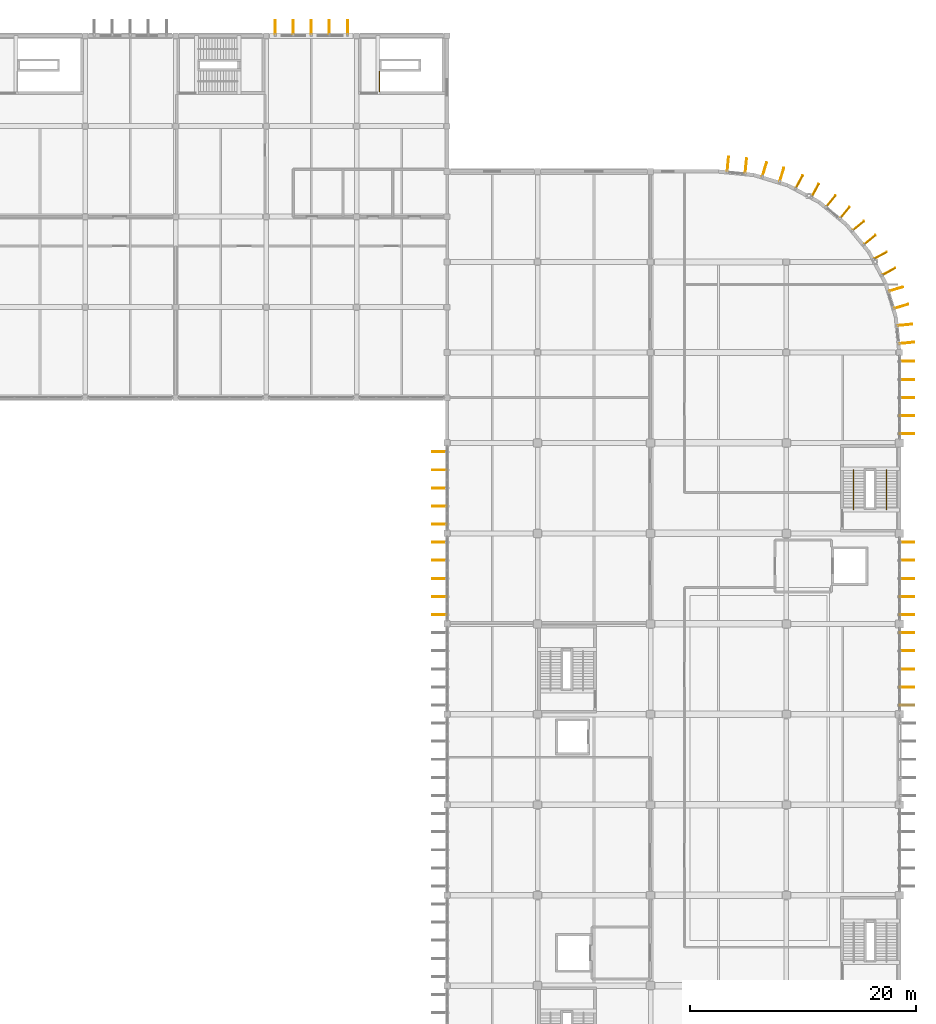
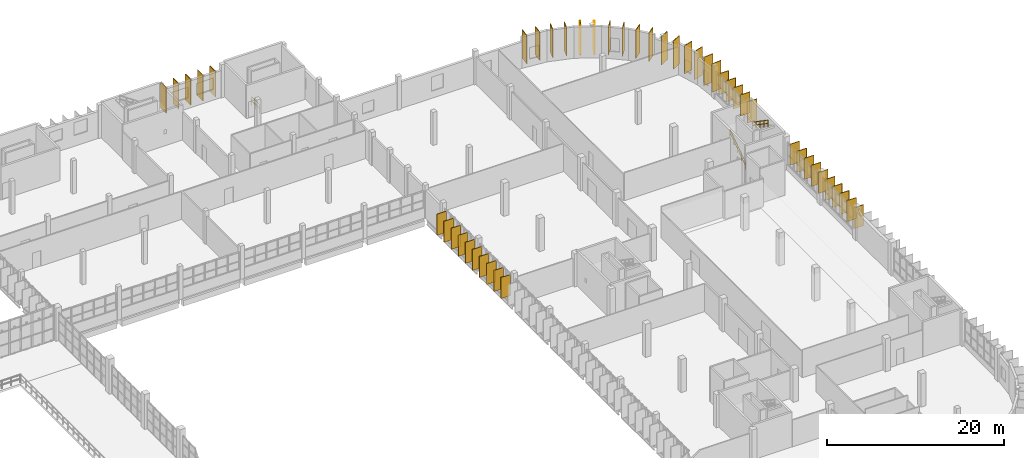
# One storey, part 93 of 93: 46 coverings, 45 shading devices, 3 railings.
"""IFC4 building model written with IfcOpenShell, lengths in metres."""

from ifc_helpers import new_model, si_unit, direction, frame, origin, origin_2d, place, context, subcontext, project, spatial, rectangle, circle, extrude, material, type_object, element, save


model = new_model("IFC4")

# Units and contexts
model_context = context("Model", 3, precision=1e-05, world=origin(), true_north=direction((0.0, 1.0)))
body_context = subcontext(model_context, "Body", "Model", "MODEL_VIEW")
ifc_project = project(units=[si_unit("LENGTHUNIT", "METRE"), si_unit("AREAUNIT", "SQUARE_METRE"), si_unit("VOLUMEUNIT", "CUBIC_METRE"), si_unit("PLANEANGLEUNIT", "RADIAN"), si_unit("MASSUNIT", "GRAM", prefix="KILO")], contexts=[model_context])

# Site, building, storey
site_placement = place(None, origin())
site = spatial("IfcSite", under=ifc_project, at=site_placement, CompositionType="ELEMENT")
building_placement = place(site_placement, origin())
building = spatial("IfcBuilding", under=site, at=building_placement, Name="Drelvana Railside Aquatics Centre", CompositionType="ELEMENT")
storey_placement = place(building_placement, frame((0.0, 0.0, 5.39990234375)))
storey = spatial("IfcBuildingStorey", under=building, at=storey_placement, Name="L01", CompositionType="ELEMENT", Elevation=5.39990234375)

# Coverings
ifc_material_1 = material(Name="Bronze-anodised extruded aluminium 6063-T6", Category="aluminium")
covering_type = type_object("IfcCoveringType", Name="COV-FIN-ALU", PredefinedType="CLADDING", material=ifc_material_1)
for number, where, z_axis, x_axis, name in (
    (1, (128.800048828125, 116.7451171875, 0.10009765625), (0.0, 0.0, 1.0), (1.0, 0.0, 0.0), "Vertical aluminium fin cladding CF-0491"),
    (2, (130.39990234375, 116.7451171875, 0.10009765625), (0.0, 0.0, 1.0), (1.0, 0.0, 0.0), "Vertical aluminium fin cladding CF-0492"),
    (3, (132.0, 116.7451171875, 0.10009765625), (0.0, 0.0, 1.0), (1.0, 0.0, 0.0), "Vertical aluminium fin cladding CF-0493"),
    (4, (133.60009765625, 116.7451171875, 0.10009765625), (0.0, 0.0, 1.0), (1.0, 0.0, 0.0), "Vertical aluminium fin cladding CF-0494"),
    (5, (135.199951171875, 116.7451171875, 0.10009765625), (0.0, 0.0, 1.0), (1.0, 0.0, 0.0), "Vertical aluminium fin cladding CF-0495"),
):
    element("IfcCovering", number, at=place(storey_placement, frame(where, z_axis=z_axis, x_axis=x_axis)), inside=storey, type_object=covering_type, Name=name, PredefinedType="CLADDING", context=body_context, shape_type="SweptSolid", body=[
        extrude(rectangle(XDim=0.0849609375, YDim=1.25, at=origin_2d()), origin(), (0.0, 0.0, 1.0), 3.550048828125),
    ])
for number, where, z_axis, x_axis, name in (
    (6, (143.330078125, 64.800048828125, 0.85009765625), (0.0, 0.0, 1.0), (0.0, 1.0, 0.0), "Vertical aluminium fin cladding CF-0641"),
    (7, (143.330078125, 66.39990234375, 0.85009765625), (0.0, 0.0, 1.0), (0.0, 1.0, 0.0), "Vertical aluminium fin cladding CF-0642"),
    (8, (143.330078125, 68.0, 0.85009765625), (0.0, 0.0, 1.0), (0.0, 1.0, 0.0), "Vertical aluminium fin cladding CF-0643"),
    (9, (143.330078125, 69.60009765625, 0.85009765625), (0.0, 0.0, 1.0), (0.0, 1.0, 0.0), "Vertical aluminium fin cladding CF-0644"),
    (10, (143.330078125, 71.199951171875, 0.85009765625), (0.0, 0.0, 1.0), (0.0, 1.0, 0.0), "Vertical aluminium fin cladding CF-0645"),
    (11, (143.330078125, 72.800048828125, 0.85009765625), (0.0, 0.0, 1.0), (0.0, 1.0, 0.0), "Vertical aluminium fin cladding CF-0661"),
    (12, (143.330078125, 74.39990234375, 0.85009765625), (0.0, 0.0, 1.0), (0.0, 1.0, 0.0), "Vertical aluminium fin cladding CF-0662"),
    (13, (143.330078125, 76.0, 0.85009765625), (0.0, 0.0, 1.0), (0.0, 1.0, 0.0), "Vertical aluminium fin cladding CF-0663"),
    (14, (143.330078125, 77.60009765625, 0.85009765625), (0.0, 0.0, 1.0), (0.0, 1.0, 0.0), "Vertical aluminium fin cladding CF-0664"),
    (15, (143.330078125, 79.199951171875, 0.85009765625), (0.0, 0.0, 1.0), (0.0, 1.0, 0.0), "Vertical aluminium fin cladding CF-0665"),
    (16, (184.669921875, 56.800048828125, 0.85009765625), (0.0, 0.0, 1.0), (0.0, -1.0, 0.0), "Vertical aluminium fin cladding CF-0756"),
    (17, (184.669921875, 58.39990234375, 0.85009765625), (0.0, 0.0, 1.0), (0.0, -1.0, 0.0), "Vertical aluminium fin cladding CF-0757"),
    (18, (184.669921875, 60.0, 0.85009765625), (0.0, 0.0, 1.0), (0.0, -1.0, 0.0), "Vertical aluminium fin cladding CF-0758"),
    (19, (184.669921875, 61.60009765625, 0.85009765625), (0.0, 0.0, 1.0), (0.0, -1.0, 0.0), "Vertical aluminium fin cladding CF-0759"),
    (20, (184.669921875, 63.199951171875, 0.85009765625), (0.0, 0.0, 1.0), (0.0, -1.0, 0.0), "Vertical aluminium fin cladding CF-0760"),
    (21, (184.669921875, 64.800048828125, 0.85009765625), (0.0, 0.0, 1.0), (0.0, -1.0, 0.0), "Vertical aluminium fin cladding CF-0781"),
    (22, (184.669921875, 66.39990234375, 0.85009765625), (0.0, 0.0, 1.0), (0.0, -1.0, 0.0), "Vertical aluminium fin cladding CF-0782"),
    (23, (184.669921875, 68.0, 0.85009765625), (0.0, 0.0, 1.0), (0.0, -1.0, 0.0), "Vertical aluminium fin cladding CF-0783"),
    (24, (184.669921875, 69.60009765625, 0.85009765625), (0.0, 0.0, 1.0), (0.0, -1.0, 0.0), "Vertical aluminium fin cladding CF-0784"),
    (25, (184.669921875, 71.199951171875, 0.85009765625), (0.0, 0.0, 1.0), (0.0, -1.0, 0.0), "Vertical aluminium fin cladding CF-0785"),
    (26, (184.669921875, 80.800048828125, 0.85009765625), (0.0, 0.0, 1.0), (0.0, -1.0, 0.0), "Vertical aluminium fin cladding CF-0806"),
    (27, (184.669921875, 82.39990234375, 0.85009765625), (0.0, 0.0, 1.0), (0.0, -1.0, 0.0), "Vertical aluminium fin cladding CF-0807"),
    (28, (184.669921875, 84.0, 0.85009765625), (0.0, 0.0, 1.0), (0.0, -1.0, 0.0), "Vertical aluminium fin cladding CF-0808"),
    (29, (184.669921875, 85.60009765625, 0.85009765625), (0.0, 0.0, 1.0), (0.0, -1.0, 0.0), "Vertical aluminium fin cladding CF-0809"),
    (30, (184.669921875, 87.199951171875, 0.85009765625), (0.0, 0.0, 1.0), (0.0, -1.0, 0.0), "Vertical aluminium fin cladding CF-0810"),
):
    element("IfcCovering", number, at=place(storey_placement, frame(where, z_axis=z_axis, x_axis=x_axis)), inside=storey, type_object=covering_type, Name=name, PredefinedType="CLADDING", context=body_context, shape_type="SweptSolid", body=[
        extrude(rectangle(XDim=0.0849609375, YDim=1.25, at=origin_2d()), origin(), (0.0, 0.0, 1.0), 2.89990234375),
    ])
for number, where, z_axis, x_axis, name in (
    (31, (184.65625, 88.836669921875, 0.250244140625), (0.0, 0.0, 1.0), (0.09801714033, -0.995184726672, 0.0), "Vertical aluminium fin cladding CF-0871"),
    (32, (184.499267578125, 90.428955078125, 0.250244140625), (0.0, 0.0, 1.0), (0.09801714033, -0.995184726672, 0.0), "Vertical aluminium fin cladding CF-0872"),
    (33, (184.1728515625, 92.070068359375, 0.250244140625), (0.0, 0.0, 1.0), (0.290284677254, -0.956940335732, 0.0), "Vertical aluminium fin cladding CF-0875"),
    (34, (183.70849609375, 93.60107421875, 0.250244140625), (0.0, 0.0, 1.0), (0.290284677254, -0.956940335732, 0.0), "Vertical aluminium fin cladding CF-0876"),
    (35, (183.068115234375, 95.14697265625, 0.250244140625), (0.0, 0.0, 1.0), (0.471396736826, -0.881921264348, 0.0), "Vertical aluminium fin cladding CF-0879"),
    (36, (182.31396484375, 96.55810546875, 0.250244140625), (0.0, 0.0, 1.0), (0.471396736826, -0.881921264348, 0.0), "Vertical aluminium fin cladding CF-0880"),
    (37, (181.38427734375, 97.94921875, 0.250244140625), (0.0, 0.0, 1.0), (0.634393284164, -0.773010453363, 0.0), "Vertical aluminium fin cladding CF-0883"),
    (38, (180.369384765625, 99.18603515625, 0.250244140625), (0.0, 0.0, 1.0), (0.634393284164, -0.773010453363, 0.0), "Vertical aluminium fin cladding CF-0884"),
    (39, (179.18603515625, 100.369384765625, 0.250244140625), (0.0, 0.0, 1.0), (0.773010453363, -0.634393284164, 0.0), "Vertical aluminium fin cladding CF-0887"),
    (40, (177.94921875, 101.38427734375, 0.250244140625), (0.0, 0.0, 1.0), (0.773010453363, -0.634393284164, 0.0), "Vertical aluminium fin cladding CF-0888"),
    (41, (176.55810546875, 102.31396484375, 0.250244140625), (0.0, 0.0, 1.0), (0.881921264348, -0.471396736826, 0.0), "Vertical aluminium fin cladding CF-0891"),
    (42, (175.14697265625, 103.068115234375, 0.250244140625), (0.0, 0.0, 1.0), (0.881921264348, -0.471396736826, 0.0), "Vertical aluminium fin cladding CF-0892"),
    (43, (173.60107421875, 103.70849609375, 0.250244140625), (0.0, 0.0, 1.0), (0.956940335732, -0.290284677254, 0.0), "Vertical aluminium fin cladding CF-0895"),
    (44, (172.070068359375, 104.1728515625, 0.250244140625), (0.0, 0.0, 1.0), (0.956940335732, -0.290284677254, 0.0), "Vertical aluminium fin cladding CF-0896"),
    (45, (170.428955078125, 104.499267578125, 0.250244140625), (0.0, 0.0, 1.0), (0.995184726672, -0.09801714033, 0.0), "Vertical aluminium fin cladding CF-0899"),
    (46, (168.836669921875, 104.65625, 0.250244140625), (0.0, 0.0, 1.0), (0.995184726672, -0.09801714033, 0.0), "Vertical aluminium fin cladding CF-0900"),
):
    element("IfcCovering", number, at=place(storey_placement, frame(where, z_axis=z_axis, x_axis=x_axis)), inside=storey, type_object=covering_type, Name=name, PredefinedType="CLADDING", context=body_context, shape_type="SweptSolid", body=[
        extrude(rectangle(XDim=0.0849609375, YDim=1.25, at=origin_2d()), origin(), (0.0, 0.0, 1.0), 3.89990234375),
    ])

# Railings
ifc_material_2 = material(Name="Brushed stainless steel stair pitch handrail", Category="steel")
railing_type_1 = type_object("IfcRailingType", Name="RAL-HANDRAIL-950", PredefinedType="HANDRAIL", material=ifc_material_2)
railing_1_placement = place(storey_placement, frame((179.949951171875, 74.090087890625, 0.0)))
element("IfcRailing", 47, at=railing_1_placement, inside=storey, type_object=railing_type_1, Name="Stair ST-07 flight 1 handrail (L01)", PredefinedType="HANDRAIL", context=body_context, shape_type="SweptSolid", body=[
    extrude(circle(Radius=0.02392578125, at=origin_2d()), frame((0.0, 0.0, 0.92578125), z_axis=(0.0, 0.824712752785, 0.565551832633), x_axis=(-1.0, 0.0, 0.0)), (0.0, 0.0, 1.0), 4.243896484375),
    extrude(circle(Radius=0.02392578125, at=origin_2d()), frame((0.0, 0.0, 0.47509765625), z_axis=(0.0, 0.824712752785, 0.565551832633), x_axis=(-1.0, 0.0, 0.0)), (0.0, 0.0, 1.0), 4.243896484375),
    extrude(circle(Radius=0.02099609375, at=origin_2d()), origin(), (0.0, 0.0, 1.0), 0.90185546875),
    extrude(circle(Radius=0.02099609375, at=origin_2d()), frame((0.0, 0.875, 0.60009765625)), (0.0, 0.0, 1.0), 0.90185546875),
    extrude(circle(Radius=0.02099609375, at=origin_2d()), frame((0.0, 1.75, 1.2001953125)), (0.0, 0.0, 1.0), 0.90185546875),
    extrude(circle(Radius=0.02099609375, at=origin_2d()), frame((0.0, 2.625, 1.800048828125)), (0.0, 0.0, 1.0), 0.90185546875),
    extrude(circle(Radius=0.02099609375, at=origin_2d()), frame((0.0, 3.5, 2.400146484375)), (0.0, 0.0, 1.0), 0.90185546875),
])
railing_2_placement = place(storey_placement, frame((182.85009765625, 77.590087890625, 2.400146484375)))
element("IfcRailing", 48, at=railing_2_placement, inside=storey, type_object=railing_type_1, Name="Stair ST-07 flight 2 handrail (L01)", PredefinedType="HANDRAIL", context=body_context, shape_type="SweptSolid", body=[
    extrude(circle(Radius=0.02392578125, at=origin_2d()), frame((0.0, 0.0, 0.92578125), z_axis=(0.0, -0.824739584531, 0.5655127034), x_axis=(1.0, 0.0, 0.0)), (0.0, 0.0, 1.0), 4.24365234375),
    extrude(circle(Radius=0.02392578125, at=origin_2d()), frame((0.0, 0.0, 0.47509765625), z_axis=(0.0, -0.824739584531, 0.5655127034), x_axis=(1.0, 0.0, 0.0)), (0.0, 0.0, 1.0), 4.24365234375),
    extrude(circle(Radius=0.02099609375, at=origin_2d()), origin(), (0.0, 0.0, 1.0), 0.90185546875),
    extrude(circle(Radius=0.02099609375, at=origin_2d()), frame((0.0, -0.875, 0.60009765625)), (0.0, 0.0, 1.0), 0.90185546875),
    extrude(circle(Radius=0.02099609375, at=origin_2d()), frame((0.0, -1.75, 1.199951171875)), (0.0, 0.0, 1.0), 0.90185546875),
    extrude(circle(Radius=0.02099609375, at=origin_2d()), frame((0.0, -2.625, 1.7998046875)), (0.0, 0.0, 1.0), 0.90185546875),
    extrude(circle(Radius=0.02099609375, at=origin_2d()), frame((0.0, -3.5, 2.39990234375)), (0.0, 0.0, 1.0), 0.90185546875),
])
ifc_material_3 = material(Name="Brushed stainless steel stairwell guard", Category="steel")
railing_type_2 = type_object("IfcRailingType", Name="RAL-STAIR-1150", PredefinedType="GUARDRAIL", material=ifc_material_3)
railing_3_placement = place(storey_placement, frame((138.02001953125, 111.050048828125, 0.0)))
element("IfcRailing", 49, at=railing_3_placement, inside=storey, type_object=railing_type_2, Name="Stair ST-12 top landing guard", PredefinedType="GUARDRAIL", context=body_context, shape_type="SweptSolid", body=[
    extrude(circle(Radius=0.02392578125, at=origin_2d()), frame((0.0, 0.0, 1.1259765625), z_axis=(0.0, 1.0, 0.0), x_axis=(-1.0, 0.0, 0.0)), (0.0, 0.0, 1.0), 1.800048828125),
    extrude(circle(Radius=0.02392578125, at=origin_2d()), frame((0.0, 0.0, 0.574951171875), z_axis=(0.0, 1.0, 0.0), x_axis=(-1.0, 0.0, 0.0)), (0.0, 0.0, 1.0), 1.800048828125),
    extrude(circle(Radius=0.02099609375, at=origin_2d()), origin(), (0.0, 0.0, 1.0), 1.101806640625),
    extrude(circle(Radius=0.02099609375, at=origin_2d()), frame((0.0, 0.89990234375, 0.0)), (0.0, 0.0, 1.0), 1.101806640625),
    extrude(circle(Radius=0.02099609375, at=origin_2d()), frame((0.0, 1.800048828125, 0.0)), (0.0, 0.0, 1.0), 1.101806640625),
])

# Shading devices
shading_device_type = type_object("IfcShadingDeviceType", Name="SHD-FIN-1250", PredefinedType="USERDEFINED", material=ifc_material_1)
for number, where, z_axis, x_axis, name in (
    (50, (128.800048828125, 116.764892578125, 0.10009765625), (0.0, 0.0, 1.0), (0.0, 1.0, 0.0), "Vertical bronze shading fin FN-0498"),
    (51, (130.39990234375, 116.764892578125, 0.10009765625), (0.0, 0.0, 1.0), (0.0, 1.0, 0.0), "Vertical bronze shading fin FN-0499"),
    (52, (132.0, 116.764892578125, 0.10009765625), (0.0, 0.0, 1.0), (0.0, 1.0, 0.0), "Vertical bronze shading fin FN-0500"),
    (53, (133.60009765625, 116.764892578125, 0.10009765625), (0.0, 0.0, 1.0), (0.0, 1.0, 0.0), "Vertical bronze shading fin FN-0501"),
    (54, (135.199951171875, 116.764892578125, 0.10009765625), (0.0, 0.0, 1.0), (0.0, 1.0, 0.0), "Vertical bronze shading fin FN-0502"),
):
    element("IfcShadingDevice", number, at=place(storey_placement, frame(where, z_axis=z_axis, x_axis=x_axis)), inside=storey, type_object=shading_device_type, Name=name, ObjectType="FIN", PredefinedType="USERDEFINED", context=body_context, shape_type="SweptSolid", body=[
        extrude(rectangle(XDim=1.25, YDim=0.06494140625, at=origin_2d()), origin(), (0.0, 0.0, 1.0), 3.550048828125),
    ])
for number, where, z_axis, x_axis, name in (
    (55, (143.31005859375, 64.800048828125, 0.85009765625), (0.0, 0.0, 1.0), (-1.0, 0.0, 0.0), "Vertical bronze shading fin FN-0648"),
    (56, (143.31005859375, 66.39990234375, 0.85009765625), (0.0, 0.0, 1.0), (-1.0, 0.0, 0.0), "Vertical bronze shading fin FN-0649"),
    (57, (143.31005859375, 68.0, 0.85009765625), (0.0, 0.0, 1.0), (-1.0, 0.0, 0.0), "Vertical bronze shading fin FN-0650"),
    (58, (143.31005859375, 69.60009765625, 0.85009765625), (0.0, 0.0, 1.0), (-1.0, 0.0, 0.0), "Vertical bronze shading fin FN-0651"),
    (59, (143.31005859375, 71.199951171875, 0.85009765625), (0.0, 0.0, 1.0), (-1.0, 0.0, 0.0), "Vertical bronze shading fin FN-0652"),
    (60, (143.31005859375, 72.800048828125, 0.85009765625), (0.0, 0.0, 1.0), (-1.0, 0.0, 0.0), "Vertical bronze shading fin FN-0668"),
    (61, (143.31005859375, 74.39990234375, 0.85009765625), (0.0, 0.0, 1.0), (-1.0, 0.0, 0.0), "Vertical bronze shading fin FN-0669"),
    (62, (143.31005859375, 76.0, 0.85009765625), (0.0, 0.0, 1.0), (-1.0, 0.0, 0.0), "Vertical bronze shading fin FN-0670"),
    (63, (143.31005859375, 77.60009765625, 0.85009765625), (0.0, 0.0, 1.0), (-1.0, 0.0, 0.0), "Vertical bronze shading fin FN-0671"),
    (64, (143.31005859375, 79.199951171875, 0.85009765625), (0.0, 0.0, 1.0), (-1.0, 0.0, 0.0), "Vertical bronze shading fin FN-0672"),
    (65, (184.68994140625, 58.39990234375, 0.85009765625), (0.0, 0.0, 1.0), (1.0, 0.0, 0.0), "Vertical bronze shading fin FN-0764"),
    (66, (184.68994140625, 60.0, 0.85009765625), (0.0, 0.0, 1.0), (1.0, 0.0, 0.0), "Vertical bronze shading fin FN-0765"),
    (67, (184.68994140625, 61.60009765625, 0.85009765625), (0.0, 0.0, 1.0), (1.0, 0.0, 0.0), "Vertical bronze shading fin FN-0766"),
    (68, (184.68994140625, 63.199951171875, 0.85009765625), (0.0, 0.0, 1.0), (1.0, 0.0, 0.0), "Vertical bronze shading fin FN-0767"),
    (69, (184.68994140625, 64.800048828125, 0.85009765625), (0.0, 0.0, 1.0), (1.0, 0.0, 0.0), "Vertical bronze shading fin FN-0788"),
    (70, (184.68994140625, 66.39990234375, 0.85009765625), (0.0, 0.0, 1.0), (1.0, 0.0, 0.0), "Vertical bronze shading fin FN-0789"),
    (71, (184.68994140625, 68.0, 0.85009765625), (0.0, 0.0, 1.0), (1.0, 0.0, 0.0), "Vertical bronze shading fin FN-0790"),
    (72, (184.68994140625, 69.60009765625, 0.85009765625), (0.0, 0.0, 1.0), (1.0, 0.0, 0.0), "Vertical bronze shading fin FN-0791"),
    (73, (184.68994140625, 71.199951171875, 0.85009765625), (0.0, 0.0, 1.0), (1.0, 0.0, 0.0), "Vertical bronze shading fin FN-0792"),
    (74, (184.68994140625, 80.800048828125, 0.85009765625), (0.0, 0.0, 1.0), (1.0, 0.0, 0.0), "Vertical bronze shading fin FN-0813"),
    (75, (184.68994140625, 82.39990234375, 0.85009765625), (0.0, 0.0, 1.0), (1.0, 0.0, 0.0), "Vertical bronze shading fin FN-0814"),
    (76, (184.68994140625, 84.0, 0.85009765625), (0.0, 0.0, 1.0), (1.0, 0.0, 0.0), "Vertical bronze shading fin FN-0815"),
    (77, (184.68994140625, 85.60009765625, 0.85009765625), (0.0, 0.0, 1.0), (1.0, 0.0, 0.0), "Vertical bronze shading fin FN-0816"),
    (78, (184.68994140625, 87.199951171875, 0.85009765625), (0.0, 0.0, 1.0), (1.0, 0.0, 0.0), "Vertical bronze shading fin FN-0817"),
):
    element("IfcShadingDevice", number, at=place(storey_placement, frame(where, z_axis=z_axis, x_axis=x_axis)), inside=storey, type_object=shading_device_type, Name=name, ObjectType="FIN", PredefinedType="USERDEFINED", context=body_context, shape_type="SweptSolid", body=[
        extrude(rectangle(XDim=1.25, YDim=0.06494140625, at=origin_2d()), origin(), (0.0, 0.0, 1.0), 2.89990234375),
    ])
for number, where, z_axis, x_axis, name in (
    (79, (184.676025390625, 88.838623046875, 0.250244140625), (0.0, 0.0, 1.0), (0.995184726672, 0.09801714033, 0.0), "Vertical bronze shading fin FN-0878"),
    (80, (184.519287109375, 90.430908203125, 0.250244140625), (0.0, 0.0, 1.0), (0.995184726672, 0.09801714033, 0.0), "Vertical bronze shading fin FN-0879"),
    (81, (184.19189453125, 92.07568359375, 0.250244140625), (0.0, 0.0, 1.0), (0.956940335732, 0.290284677254, 0.0), "Vertical bronze shading fin FN-0882"),
    (82, (183.7275390625, 93.60693359375, 0.250244140625), (0.0, 0.0, 1.0), (0.956940335732, 0.290284677254, 0.0), "Vertical bronze shading fin FN-0883"),
    (83, (183.085693359375, 95.156494140625, 0.250244140625), (0.0, 0.0, 1.0), (0.881921264348, 0.471396736826, 0.0), "Vertical bronze shading fin FN-0886"),
    (84, (182.33154296875, 96.5673828125, 0.250244140625), (0.0, 0.0, 1.0), (0.881921264348, 0.471396736826, 0.0), "Vertical bronze shading fin FN-0887"),
    (85, (181.399658203125, 97.9619140625, 0.250244140625), (0.0, 0.0, 1.0), (0.773010453363, 0.634393284164, 0.0), "Vertical bronze shading fin FN-0890"),
    (86, (180.384765625, 99.19873046875, 0.250244140625), (0.0, 0.0, 1.0), (0.773010453363, 0.634393284164, 0.0), "Vertical bronze shading fin FN-0891"),
    (87, (179.19873046875, 100.384765625, 0.250244140625), (0.0, 0.0, 1.0), (0.634393284164, 0.773010453363, 0.0), "Vertical bronze shading fin FN-0894"),
    (88, (177.9619140625, 101.399658203125, 0.250244140625), (0.0, 0.0, 1.0), (0.634393284164, 0.773010453363, 0.0), "Vertical bronze shading fin FN-0895"),
    (89, (176.5673828125, 102.33154296875, 0.250244140625), (0.0, 0.0, 1.0), (0.471396736826, 0.881921264348, 0.0), "Vertical bronze shading fin FN-0898"),
    (90, (175.156494140625, 103.085693359375, 0.250244140625), (0.0, 0.0, 1.0), (0.471396736826, 0.881921264348, 0.0), "Vertical bronze shading fin FN-0899"),
    (91, (173.60693359375, 103.7275390625, 0.250244140625), (0.0, 0.0, 1.0), (0.290284677254, 0.956940335732, 0.0), "Vertical bronze shading fin FN-0902"),
    (92, (172.07568359375, 104.19189453125, 0.250244140625), (0.0, 0.0, 1.0), (0.290284677254, 0.956940335732, 0.0), "Vertical bronze shading fin FN-0903"),
    (93, (170.430908203125, 104.519287109375, 0.250244140625), (0.0, 0.0, 1.0), (0.09801714033, 0.995184726672, 0.0), "Vertical bronze shading fin FN-0906"),
    (94, (168.838623046875, 104.676025390625, 0.250244140625), (0.0, 0.0, 1.0), (0.09801714033, 0.995184726672, 0.0), "Vertical bronze shading fin FN-0907"),
):
    element("IfcShadingDevice", number, at=place(storey_placement, frame(where, z_axis=z_axis, x_axis=x_axis)), inside=storey, type_object=shading_device_type, Name=name, ObjectType="FIN", PredefinedType="USERDEFINED", context=body_context, shape_type="SweptSolid", body=[
        extrude(rectangle(XDim=1.25, YDim=0.06494140625, at=origin_2d()), origin(), (0.0, 0.0, 1.0), 3.89990234375),
    ])

save(model, "model.ifc")
